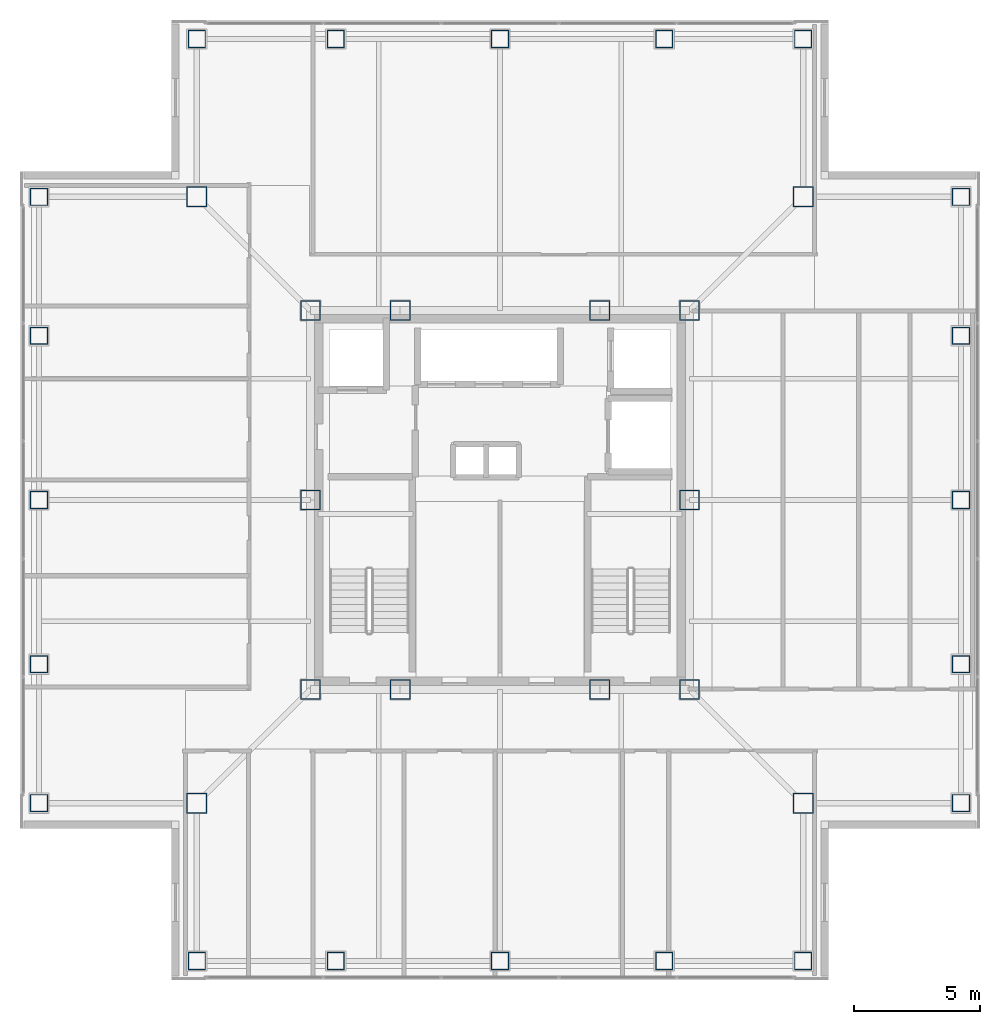
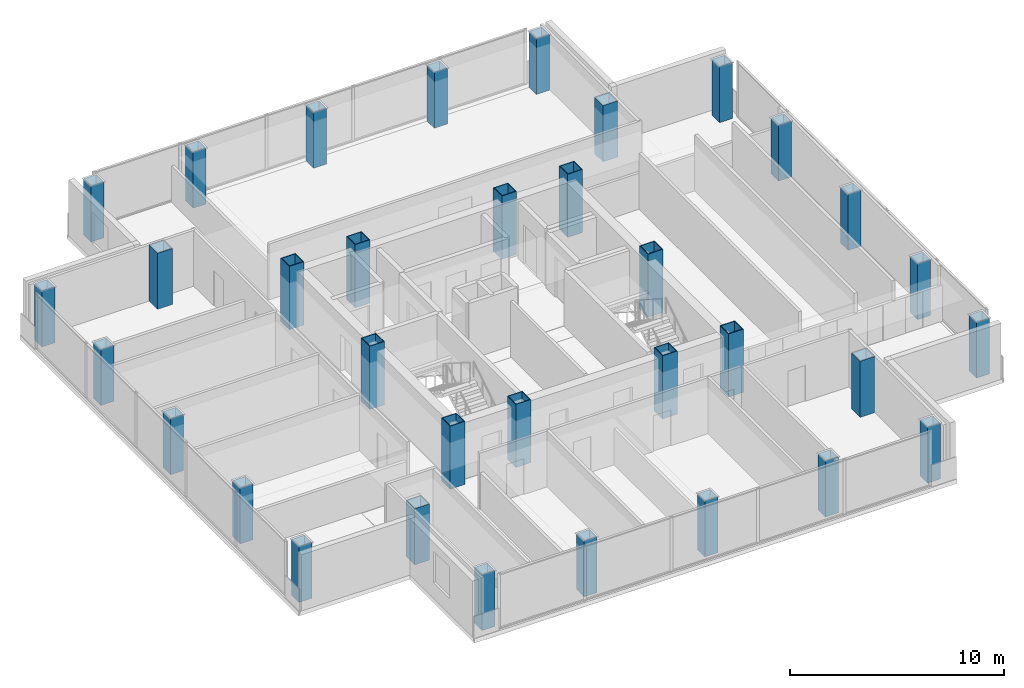
# One storey, part 1 of 16: 34 columns.
"""IFC4 building model written with IfcOpenShell, lengths in metres."""

import ifcopenshell
import ifcopenshell.guid

model = None  # the IFC model being written
_history = None  # IfcOwnerHistory: only IFC2X3 demands one
_inside = {}  # id of a spatial element -> (the spatial element, [elements in it])
_under = {}  # id of a project, library or spatial element -> (it, [spatial elements below it])
_declared = {}  # id of a project -> (the project, [libraries it declares])
_typed = {}  # id of a type object -> (the type object, [elements of that type])
_made_of = {}  # id of a material, layer set ... -> (it, [elements and type objects made of it])


def new_model(schema):
    """Start an empty IFC model of exactly this schema.

    Asked for "IFC4X3", IfcOpenShell would pick the latest addendum, in which some entities
    have other attributes; the version numbers below select the first issue.
    IFC2X3 requires an IfcOwnerHistory on every rooted entity: one is made here for all.
    """
    global model, _history
    if schema == "IFC4X3":
        model = ifcopenshell.file(schema_version=(4, 3, 0, 0))
    else:
        model = ifcopenshell.file(schema=schema)
    _inside.clear()
    _under.clear()
    _declared.clear()
    _typed.clear()
    _made_of.clear()
    _history = None
    if model.schema == "IFC2X3":
        org = make("IfcOrganization", Name="unknown")
        user = make(
            "IfcPersonAndOrganization",
            ThePerson=make("IfcPerson", FamilyName="unknown"),
            TheOrganization=org,
        )
        app = make(
            "IfcApplication",
            ApplicationDeveloper=org,
            Version="unknown",
            ApplicationFullName="unknown",
            ApplicationIdentifier="unknown",
        )
        _history = make(
            "IfcOwnerHistory",
            OwningUser=user,
            OwningApplication=app,
            ChangeAction="ADDED",
            CreationDate=0,
        )
    return model


def make(cls, **values):
    """One entity of the class cls with the attributes given. An attribute that is None is left unset."""
    return model.create_entity(
        cls, **{name: value for name, value in values.items() if value is not None}
    )


def rooted(cls, **values):
    """An entity with a GlobalId (a new one), such as an element, a storey or a relation."""
    return make(cls, GlobalId=ifcopenshell.guid.new(), OwnerHistory=_history, **values)


def si_unit(unit_type, name, prefix=None):
    """IfcSIUnit, for example si_unit("LENGTHUNIT", "METRE", prefix="MILLI")."""
    return make("IfcSIUnit", UnitType=unit_type, Prefix=prefix, Name=name)


def assignment(units):
    """IfcUnitAssignment: the units of a project."""
    return None if units is None else make("IfcUnitAssignment", Units=units)


def point(xyz):
    """IfcCartesianPoint."""
    return None if xyz is None else make("IfcCartesianPoint", Coordinates=xyz)


def direction(xyz):
    """IfcDirection."""
    return None if xyz is None else make("IfcDirection", DirectionRatios=xyz)


def frame(location, z_axis=None, x_axis=None):
    """IfcAxis2Placement3D, a coordinate frame: its origin and axes. An axis left out is left unset."""
    return make(
        "IfcAxis2Placement3D",
        Location=point(location),
        Axis=direction(z_axis),
        RefDirection=direction(x_axis),
    )


def frame_2d(location, x_axis=None):
    """IfcAxis2Placement2D, a coordinate frame in the plane: its origin and x axis."""
    return make(
        "IfcAxis2Placement2D", Location=point(location), RefDirection=direction(x_axis)
    )


def origin():
    """The frame at (0, 0, 0) with its axes left unset."""
    return frame((0.0, 0.0, 0.0))


def origin_2d():
    """The frame at (0, 0) in the plane with its x axis left unset."""
    return frame_2d((0.0, 0.0))


def place(relative_to, where):
    """IfcLocalPlacement: puts the frame where relative to a parent placement (None: the world)."""
    return make(
        "IfcLocalPlacement", PlacementRelTo=relative_to, RelativePlacement=where
    )


def context(
    kind, dimensions, precision=None, world=None, true_north=None, identifier=None
):
    """IfcGeometricRepresentationContext, for example the 3D "Model" context."""
    return make(
        "IfcGeometricRepresentationContext",
        ContextIdentifier=identifier,
        ContextType=kind,
        CoordinateSpaceDimension=dimensions,
        Precision=precision,
        WorldCoordinateSystem=world,
        TrueNorth=true_north,
    )


def subcontext(parent, identifier, kind, view, scale=None):
    """IfcGeometricRepresentationSubContext, for example "Body" below "Model"."""
    return make(
        "IfcGeometricRepresentationSubContext",
        ContextIdentifier=identifier,
        ContextType=kind,
        ParentContext=parent,
        TargetScale=scale,
        TargetView=view,
    )


def project(units=None, contexts=None):
    """IfcProject with its units and contexts."""
    return rooted(
        "IfcProject",
        Name="project",
        RepresentationContexts=contexts,
        UnitsInContext=assignment(units),
    )


def spatial(cls, under=None, at=None, **own):
    """A site, building, storey or space (cls), placed at a placement, below another one or the project."""
    s = rooted(cls, ObjectPlacement=at, **own)
    if under is not None:
        _under.setdefault(under.id(), (under, []))[1].append(s)
    return s


def profile(cls, at=None, kind="AREA", **sizes):
    """A parametric profile (cls). Its sizes go by their IFC names, for example OverallWidth=200.0."""
    return make(cls, ProfileType=kind, Position=at, **sizes)


def hollow_rectangle(**sizes):
    """IfcRectangleHollowProfileDef."""
    return profile("IfcRectangleHollowProfileDef", **sizes)


def extrude(swept, where, along, depth):
    """IfcExtrudedAreaSolid: the profile swept, set in the frame where, extruded along a direction by depth."""
    return make(
        "IfcExtrudedAreaSolid",
        SweptArea=swept,
        Position=where,
        ExtrudedDirection=direction(along),
        Depth=depth,
    )


def shape(context_of_items, identifier, shape_type, items):
    """IfcShapeRepresentation: the items that make up one representation, for example the "Body"."""
    return make(
        "IfcShapeRepresentation",
        ContextOfItems=context_of_items,
        RepresentationIdentifier=identifier,
        RepresentationType=shape_type,
        Items=items,
    )


def material(Name=None, Category=None):
    """IfcMaterial."""
    return make("IfcMaterial", Name=Name, Category=Category)


def material_profile(
    of_material, cross_section, Name=None, Category=None, Priority=None
):
    """IfcMaterialProfile: a cross section and its material."""
    return make(
        "IfcMaterialProfile",
        Name=Name,
        Material=of_material,
        Profile=cross_section,
        Priority=Priority,
        Category=Category,
    )


def profile_set(profiles, Name=None, composite=None):
    """IfcMaterialProfileSet."""
    return make(
        "IfcMaterialProfileSet",
        Name=Name,
        MaterialProfiles=profiles,
        CompositeProfile=composite,
    )


def made_of(thing, what):
    """Note that an element or type object is made of a material, layer set ...; save() writes the relation."""
    if what is not None:
        _made_of.setdefault(what.id(), (what, []))[1].append(thing)
    return thing


def type_object(cls, material=None, **own):
    """A type object (cls), such as IfcWallType, which elements share."""
    return made_of(rooted(cls, **own), material)


def element(
    cls,
    number,
    at=None,
    inside=None,
    cuts=None,
    type_object=None,
    material=None,
    context=None,
    identifier="Body",
    shape_type=None,
    held_by="IfcProductDefinitionShape",
    body=None,
    shapes=None,
    **own,
):
    """One element of the class cls, such as IfcWall. Its Tag is "e" and its number.

    at: its placement. inside: the storey or other place that contains it. cuts: it is an
    opening in that element (IfcRelVoidsElement). A single representation is given by context,
    identifier, shape_type and body (its items); several are given by shapes. held_by: the class
    of the entity that holds the representations. save() writes the other relations.
    """
    e = rooted(cls, Tag="e%d" % number, ObjectPlacement=at, **own)
    if body is not None:
        shapes = [shape(context, identifier, shape_type, body)]
    if shapes is not None:
        e.Representation = make(held_by, Representations=shapes)
    if inside is not None:
        _inside.setdefault(inside.id(), (inside, []))[1].append(e)
    if cuts is not None:
        rooted(
            "IfcRelVoidsElement", RelatingBuildingElement=cuts, RelatedOpeningElement=e
        )
    if type_object is not None:
        _typed.setdefault(type_object.id(), (type_object, []))[1].append(e)
    return made_of(e, material)


def aggregate(whole, parts):
    """IfcRelAggregates: a whole, such as a stair, and the parts it consists of."""
    return rooted("IfcRelAggregates", RelatingObject=whole, RelatedObjects=parts)


def save(model, path):
    """Write the relations noted so far, then the file.

    IfcRelAggregates (storeys below a building ...), IfcRelContainedInSpatialStructure (elements
    in a storey), IfcRelDefinesByType, IfcRelAssociatesMaterial and IfcRelDeclares: one each for
    every whole, place, type object, material and project.
    """
    for whole, parts in _under.values():
        aggregate(whole, parts)
    for where, things in _inside.values():
        rooted(
            "IfcRelContainedInSpatialStructure",
            RelatedElements=things,
            RelatingStructure=where,
        )
    for kind, things in _typed.values():
        rooted("IfcRelDefinesByType", RelatedObjects=things, RelatingType=kind)
    for what, things in _made_of.values():
        rooted("IfcRelAssociatesMaterial", RelatedObjects=things, RelatingMaterial=what)
    for by, libraries in _declared.values():
        rooted("IfcRelDeclares", RelatingContext=by, RelatedDefinitions=libraries)
    model.write(path)


model = new_model("IFC4")

# Units and contexts
model_context = context("Model", 3, precision=1e-05, world=origin(), true_north=direction((0.0, 1.0)))
body_context = subcontext(model_context, "Body", "Model", "MODEL_VIEW")
ifc_project = project(units=[si_unit("LENGTHUNIT", "METRE"), si_unit("AREAUNIT", "SQUARE_METRE"), si_unit("VOLUMEUNIT", "CUBIC_METRE"), si_unit("PLANEANGLEUNIT", "RADIAN"), si_unit("MASSUNIT", "GRAM", prefix="KILO")], contexts=[model_context])

# Site, building, storey
site_placement = place(None, origin())
site = spatial("IfcSite", under=ifc_project, at=site_placement, CompositionType="ELEMENT")
building_placement = place(site_placement, origin())
building = spatial("IfcBuilding", under=site, at=building_placement, Name="Trevonay Congress Spire", CompositionType="ELEMENT")
storey_placement = place(building_placement, frame((0.0, 0.0, 297.199951171875)))
storey = spatial("IfcBuildingStorey", under=building, at=storey_placement, Name="L78", CompositionType="ELEMENT", Elevation=297.199951171875)

# Columns
ifc_material = material(Name="Steel ASTM A572 Grade 50", Category="steel")
ifc_material_profile_1 = material_profile(ifc_material, hollow_rectangle(XDim=0.800048828125, YDim=0.800048828125, WallThickness=0.0400390625, at=origin_2d()), Name="BOX 800x800x40")
ifc_profile_set_1 = profile_set([ifc_material_profile_1], Name="Steel ASTM A572 Grade 50")
column_type_1 = type_object("IfcColumnType", Name="COL-CORE-BOX800", PredefinedType="COLUMN", material=ifc_profile_set_1)
for number, where, z_axis, x_axis, name in (
    (1, (-7.5, -7.5, 0.0), (0.0, 0.0, 1.0), (1.0, 0.0, 0.0), "L78 column C05 at CC-SW"),
    (2, (-3.949951171875, -7.5, 0.0), (0.0, 0.0, 1.0), (1.0, 0.0, 0.0), "L78 column C05 at CC-SMW"),
    (3, (3.949951171875, -7.5, 0.0), (0.0, 0.0, 1.0), (1.0, 0.0, 0.0), "L78 column C05 at CC-SME"),
    (4, (7.5, -7.5, 0.0), (0.0, 0.0, 1.0), (1.0, 0.0, 0.0), "L78 column C05 at CC-SE"),
    (5, (7.5, 0.0, 0.0), (0.0, 0.0, 1.0), (1.0, 0.0, 0.0), "L78 column C05 at CC-E"),
    (6, (7.5, 7.5, 0.0), (0.0, 0.0, 1.0), (1.0, 0.0, 0.0), "L78 column C05 at CC-NE"),
    (7, (3.949951171875, 7.5, 0.0), (0.0, 0.0, 1.0), (1.0, 0.0, 0.0), "L78 column C05 at CC-NME"),
    (8, (-3.949951171875, 7.5, 0.0), (0.0, 0.0, 1.0), (1.0, 0.0, 0.0), "L78 column C05 at CC-NMW"),
    (9, (-7.5, 7.5, 0.0), (0.0, 0.0, 1.0), (1.0, 0.0, 0.0), "L78 column C05 at CC-NW"),
    (10, (-7.5, 0.0, 0.0), (0.0, 0.0, 1.0), (1.0, 0.0, 0.0), "L78 column C05 at CC-W"),
):
    element("IfcColumn", number, at=place(storey_placement, frame(where, z_axis=z_axis, x_axis=x_axis)), inside=storey, type_object=column_type_1, Name=name, PredefinedType="COLUMN", context=body_context, shape_type="SweptSolid", body=[
        extrude(hollow_rectangle(XDim=0.800048828125, YDim=0.800048828125, WallThickness=0.0400390625, at=origin_2d()), origin(), (0.0, 0.0, 1.0), 3.60009765625),
    ])
ifc_material_profile_2 = material_profile(ifc_material, hollow_rectangle(XDim=0.699951171875, YDim=0.699951171875, WallThickness=0.034912109375, at=origin_2d()), Name="BOX 700x700x35")
ifc_profile_set_2 = profile_set([ifc_material_profile_2], Name="Steel ASTM A572 Grade 50")
column_type_2 = type_object("IfcColumnType", Name="COL-TUBE-BOX700", PredefinedType="COLUMN", material=ifc_profile_set_2)
for number, where, z_axis, x_axis, name in (
    (11, (-12.0, -18.25, 0.0), (0.0, 0.0, 1.0), (1.0, 0.0, 0.0), "L78 column C17 at TS-1"),
    (12, (-12.0, 18.25, 0.0), (0.0, 0.0, 1.0), (1.0, 0.0, 0.0), "L78 column C17 at TN-1"),
    (13, (-18.25, -12.0, 0.0), (0.0, 0.0, 1.0), (1.0, 0.0, 0.0), "L78 column C17 at TW-1"),
    (14, (18.25, -12.0, 0.0), (0.0, 0.0, 1.0), (1.0, 0.0, 0.0), "L78 column C17 at TE-1"),
    (15, (-6.5, -18.25, 0.0), (0.0, 0.0, 1.0), (1.0, 0.0, 0.0), "L78 column C17 at TS-2"),
    (16, (-6.5, 18.25, 0.0), (0.0, 0.0, 1.0), (1.0, 0.0, 0.0), "L78 column C17 at TN-2"),
    (17, (-18.25, -6.5, 0.0), (0.0, 0.0, 1.0), (1.0, 0.0, 0.0), "L78 column C17 at TW-2"),
    (18, (18.25, -6.5, 0.0), (0.0, 0.0, 1.0), (1.0, 0.0, 0.0), "L78 column C17 at TE-2"),
    (19, (0.0, -18.25, 0.0), (0.0, 0.0, 1.0), (1.0, 0.0, 0.0), "L78 column C17 at TS-3"),
    (20, (0.0, 18.25, 0.0), (0.0, 0.0, 1.0), (1.0, 0.0, 0.0), "L78 column C17 at TN-3"),
    (21, (-18.25, 0.0, 0.0), (0.0, 0.0, 1.0), (1.0, 0.0, 0.0), "L78 column C17 at TW-3"),
    (22, (18.25, 0.0, 0.0), (0.0, 0.0, 1.0), (1.0, 0.0, 0.0), "L78 column C17 at TE-3"),
    (23, (6.5, -18.25, 0.0), (0.0, 0.0, 1.0), (1.0, 0.0, 0.0), "L78 column C17 at TS-4"),
    (24, (6.5, 18.25, 0.0), (0.0, 0.0, 1.0), (1.0, 0.0, 0.0), "L78 column C17 at TN-4"),
    (25, (-18.25, 6.5, 0.0), (0.0, 0.0, 1.0), (1.0, 0.0, 0.0), "L78 column C17 at TW-4"),
    (26, (18.25, 6.5, 0.0), (0.0, 0.0, 1.0), (1.0, 0.0, 0.0), "L78 column C17 at TE-4"),
    (27, (12.0, -18.25, 0.0), (0.0, 0.0, 1.0), (1.0, 0.0, 0.0), "L78 column C17 at TS-5"),
    (28, (12.0, 18.25, 0.0), (0.0, 0.0, 1.0), (1.0, 0.0, 0.0), "L78 column C17 at TN-5"),
    (29, (-18.25, 12.0, 0.0), (0.0, 0.0, 1.0), (1.0, 0.0, 0.0), "L78 column C17 at TW-5"),
    (30, (18.25, 12.0, 0.0), (0.0, 0.0, 1.0), (1.0, 0.0, 0.0), "L78 column C17 at TE-5"),
):
    element("IfcColumn", number, at=place(storey_placement, frame(where, z_axis=z_axis, x_axis=x_axis)), inside=storey, type_object=column_type_2, Name=name, PredefinedType="COLUMN", context=body_context, shape_type="SweptSolid", body=[
        extrude(hollow_rectangle(XDim=0.699951171875, YDim=0.699951171875, WallThickness=0.034912109375, at=origin_2d()), origin(), (0.0, 0.0, 1.0), 3.199951171875),
    ])
ifc_material_profile_3 = material_profile(ifc_material, hollow_rectangle(XDim=0.800048828125, YDim=0.800048828125, WallThickness=0.0400390625, at=origin_2d()), Name="BOX 800x800x40")
ifc_profile_set_3 = profile_set([ifc_material_profile_3], Name="Steel ASTM A572 Grade 50")
column_type_3 = type_object("IfcColumnType", Name="COL-TUBE-BOX800", PredefinedType="COLUMN", material=ifc_profile_set_3)
for number, where, z_axis, x_axis, name in (
    (31, (-12.0, -12.0, 0.0), (0.0, 0.0, 1.0), (1.0, 0.0, 0.0), "L78 column C16 at NC-SW"),
    (32, (12.0, -12.0, 0.0), (0.0, 0.0, 1.0), (1.0, 0.0, 0.0), "L78 column C16 at NC-SE"),
    (33, (12.0, 12.0, 0.0), (0.0, 0.0, 1.0), (1.0, 0.0, 0.0), "L78 column C16 at NC-NE"),
    (34, (-12.0, 12.0, 0.0), (0.0, 0.0, 1.0), (1.0, 0.0, 0.0), "L78 column C16 at NC-NW"),
):
    element("IfcColumn", number, at=place(storey_placement, frame(where, z_axis=z_axis, x_axis=x_axis)), inside=storey, type_object=column_type_3, Name=name, PredefinedType="COLUMN", context=body_context, shape_type="SweptSolid", body=[
        extrude(hollow_rectangle(XDim=0.800048828125, YDim=0.800048828125, WallThickness=0.0400390625, at=origin_2d()), origin(), (0.0, 0.0, 1.0), 3.199951171875),
    ])

save(model, "model.ifc")
